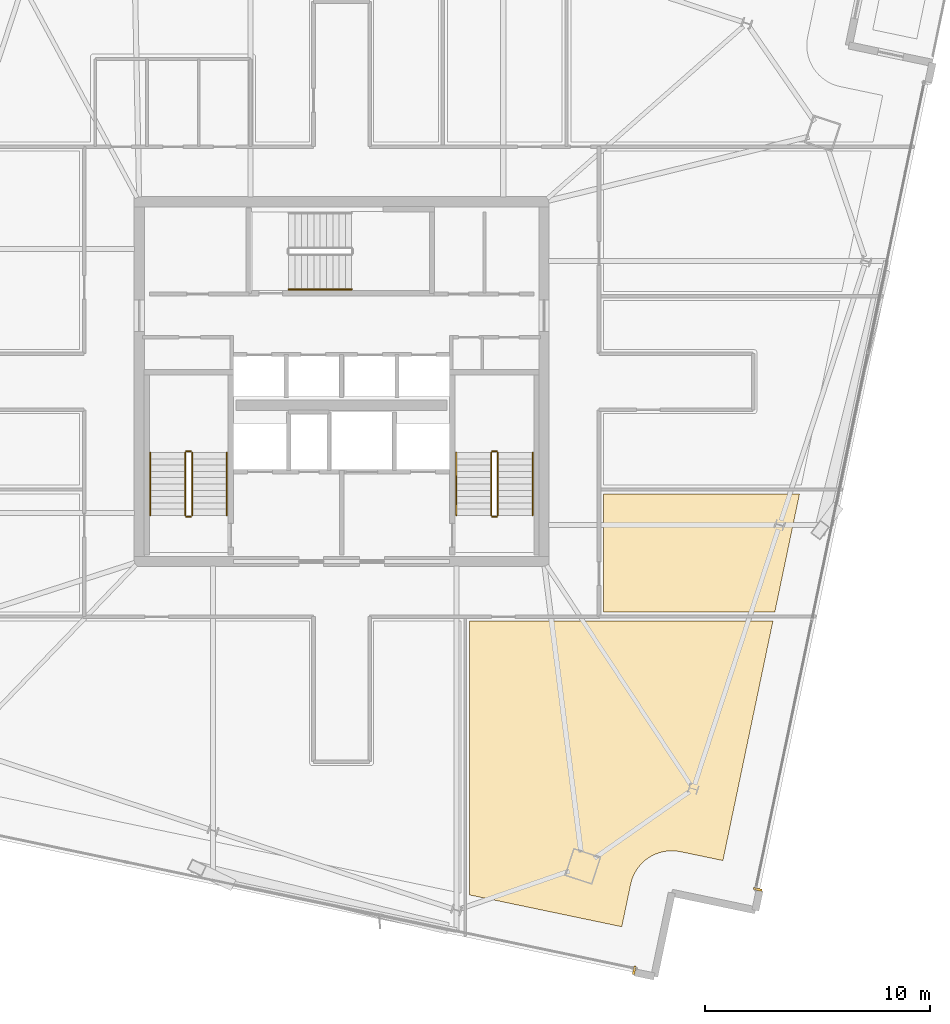
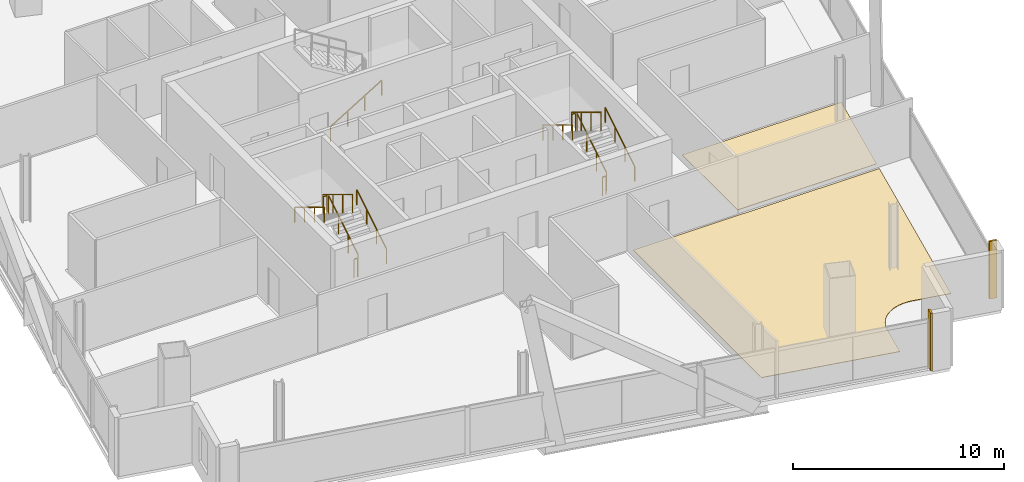
# One storey, part 22 of 24: 13 railings, 4 coverings.
"""IFC4 building model written with IfcOpenShell, lengths in metres."""

from ifc_helpers import new_model, si_unit, direction, frame, origin, origin_2d, place, context, subcontext, project, spatial, polyline, rectangle, outline, extrude, source, transform, mapped, material, layer, layer_set, type_object, element, save


model = new_model("IFC4")

# Units and contexts
model_context = context("Model", 3, precision=1e-05, world=origin(), true_north=direction((0.0, 1.0)))
body_context = subcontext(model_context, "Body", "Model", "MODEL_VIEW")
ifc_project = project(units=[si_unit("LENGTHUNIT", "METRE"), si_unit("AREAUNIT", "SQUARE_METRE"), si_unit("VOLUMEUNIT", "CUBIC_METRE"), si_unit("PLANEANGLEUNIT", "RADIAN"), si_unit("MASSUNIT", "GRAM", prefix="KILO")], contexts=[model_context])

# Site, building, storey
site_placement = place(None, origin())
site = spatial("IfcSite", under=ifc_project, at=site_placement, CompositionType="ELEMENT")
building_placement = place(site_placement, origin())
building = spatial("IfcBuilding", under=site, at=building_placement, Name="Haldenkirk Collegiate Tower", CompositionType="ELEMENT")
storey_placement = place(building_placement, frame((0.0, 0.0, 289.949951171875)))
storey = spatial("IfcBuildingStorey", under=building, at=storey_placement, Name="L73", CompositionType="ELEMENT", Elevation=289.949951171875)

# Coverings
ifc_material_1 = material(Name="Polished collegiate terrazzo", Category="concrete")
ifc_layer_1 = layer(ifc_material_1, 0.02490234375)
ifc_layer_set_1 = layer_set([ifc_layer_1], Name="Polished collegiate terrazzo")
covering_type_1 = type_object("IfcCoveringType", Name="COV-FLOOR-TERRAZZO", PredefinedType="FLOORING", material=ifc_layer_set_1)
covering_1_placement = place(storey_placement, origin())
element("IfcCovering", 1, at=covering_1_placement, inside=storey, type_object=covering_type_1, Name="L73 academic room finish 02", PredefinedType="FLOORING", context=body_context, shape_type="SweptSolid", body=[
    extrude(outline(polyline([(50.34521484375, 5.104736328125), (50.33349609375, 5.1025390625), (50.16650390625, 5.0625), (50.1552734375, 5.05908203125), (49.992919921875, 5.002685546875), (49.982177734375, 4.998291015625), (49.826171875, 4.926513671875), (49.815673828125, 4.9208984375), (49.66748046875, 4.833984375), (49.65771484375, 4.82763671875), (49.518798828125, 4.726806640625), (49.509521484375, 4.719482421875), (49.381103515625, 4.605224609375), (49.372802734375, 4.596923828125), (49.256103515625, 4.470703125), (49.248779296875, 4.4619140625), (49.14501953125, 4.324951171875), (49.138427734375, 4.315185546875), (49.048583984375, 4.168701171875), (49.04296875, 4.158203125), (48.968017578125, 4.00390625), (48.96337890625, 3.992919921875), (48.904052734375, 3.831787109375), (48.900634765625, 3.82080078125), (48.857421875, 3.654541015625), (48.85595703125, 3.648681640625), (48.461181640625, 1.759521484375), (41.699951171875, 3.172119140625), (41.699951171875, 15.35009765625), (55.1826171875, 15.35009765625), (52.9580078125, 4.7021484375), (51.06884765625, 5.0966796875), (51.06298828125, 5.097900390625), (50.893310546875, 5.12451171875), (50.881591796875, 5.1259765625), (50.710205078125, 5.135986328125), (50.698486328125, 5.135986328125), (50.52685546875, 5.12939453125), (50.51513671875, 5.12841796875), (50.34521484375, 5.104736328125)])), origin(), (0.0, 0.0, 1.0), 0.025146484375),
])
covering_2_placement = place(storey_placement, origin())
element("IfcCovering", 2, at=covering_2_placement, inside=storey, type_object=covering_type_1, Name="L73 academic room finish 08", PredefinedType="FLOORING", context=body_context, shape_type="SweptSolid", body=[
    extrude(outline(polyline([(55.26611328125, 15.75), (47.64990234375, 15.75), (47.64990234375, 21.0), (56.36279296875, 21.0), (55.26611328125, 15.75)])), origin(), (0.0, 0.0, 1.0), 0.025146484375),
])

# Railings
ifc_material_2 = material(Name="Painted architectural tubular steel", Category="steel")
railing_type_1 = type_object("IfcRailingType", Name="RLG-STAIR-GUARD-1100", PredefinedType="BALUSTRADE", material=ifc_material_2)
railing_1_placement = place(storey_placement, frame((29.35009765625, 20.050048828125, 0.17041015625)))
element("IfcRailing", 3, at=railing_1_placement, inside=storey, type_object=railing_type_1, Name="L73 ST-1 stair guard 1", PredefinedType="BALUSTRADE", context=body_context, shape_type="SweptSolid", body=[
    extrude(rectangle(XDim=0.048095703125, YDim=0.048095703125, at=origin_2d()), frame((0.0, 0.0, 1.076171875), z_axis=(0.0, 0.854169791009, 0.51999420009), x_axis=(-1.0, 0.0, 0.0)), (0.0, 0.0, 1.0), 3.278076171875),
    extrude(rectangle(XDim=0.0419921875, YDim=0.0419921875, at=origin_2d()), origin(), (0.0, 0.0, 1.0), 1.052001953125),
    extrude(rectangle(XDim=0.0419921875, YDim=0.0419921875, at=origin_2d()), frame((0.0, 0.933349609375, 0.568115234375)), (0.0, 0.0, 1.0), 1.052001953125),
    extrude(rectangle(XDim=0.0419921875, YDim=0.0419921875, at=origin_2d()), frame((0.0, 1.86669921875, 1.136474609375)), (0.0, 0.0, 1.0), 1.052001953125),
    extrude(rectangle(XDim=0.0419921875, YDim=0.0419921875, at=origin_2d()), frame((0.0, 2.800048828125, 1.70458984375)), (0.0, 0.0, 1.0), 1.052001953125),
])
railing_2_placement = place(storey_placement, frame((29.300048828125, 22.89990234375, 1.875)))
element("IfcRailing", 4, at=railing_2_placement, inside=storey, type_object=railing_type_1, Name="L73 ST-1 stair guard 2", PredefinedType="BALUSTRADE", context=body_context, shape_type="SweptSolid", body=[
    extrude(rectangle(XDim=0.048095703125, YDim=0.048095703125, at=origin_2d()), frame((0.0, 0.0, 1.076171875), z_axis=(-1.0, 0.0, 0.0), x_axis=(0.0, -1.0, 0.0)), (0.0, 0.0, 1.0), 0.199951171875),
    extrude(rectangle(XDim=0.0419921875, YDim=0.0419921875, at=origin_2d()), origin(), (0.0, 0.0, 1.0), 1.052001953125),
    extrude(rectangle(XDim=0.0419921875, YDim=0.0419921875, at=origin_2d()), frame((-0.199951171875, 0.0, 0.0)), (0.0, 0.0, 1.0), 1.052001953125),
])
railing_3_placement = place(storey_placement, frame((29.050048828125, 22.85009765625, 2.04541015625)))
element("IfcRailing", 5, at=railing_3_placement, inside=storey, type_object=railing_type_1, Name="L73 ST-1 stair guard 3", PredefinedType="BALUSTRADE", context=body_context, shape_type="SweptSolid", body=[
    extrude(rectangle(XDim=0.048095703125, YDim=0.048095703125, at=origin_2d()), frame((0.0, 0.0, 1.076171875), z_axis=(0.0, -0.854169791009, 0.51999420009), x_axis=(1.0, 0.0, 0.0)), (0.0, 0.0, 1.0), 3.278076171875),
    extrude(rectangle(XDim=0.0419921875, YDim=0.0419921875, at=origin_2d()), origin(), (0.0, 0.0, 1.0), 1.052001953125),
    extrude(rectangle(XDim=0.0419921875, YDim=0.0419921875, at=origin_2d()), frame((0.0, -0.933349609375, 0.568115234375)), (0.0, 0.0, 1.0), 1.052001953125),
    extrude(rectangle(XDim=0.0419921875, YDim=0.0419921875, at=origin_2d()), frame((0.0, -1.86669921875, 1.136474609375)), (0.0, 0.0, 1.0), 1.052001953125),
    extrude(rectangle(XDim=0.0419921875, YDim=0.0419921875, at=origin_2d()), frame((0.0, -2.800048828125, 1.70458984375)), (0.0, 0.0, 1.0), 1.052001953125),
])
railing_4_placement = place(storey_placement, frame((29.300048828125, 20.0, 0.0)))
element("IfcRailing", 6, at=railing_4_placement, inside=storey, type_object=railing_type_1, Name="L73 ST-1 stair guard 4", PredefinedType="BALUSTRADE", context=body_context, shape_type="SweptSolid", body=[
    extrude(rectangle(XDim=0.048095703125, YDim=0.048095703125, at=origin_2d()), frame((0.0, 0.0, 1.076171875), z_axis=(-1.0, 0.0, 0.0), x_axis=(0.0, -1.0, 0.0)), (0.0, 0.0, 1.0), 0.199951171875),
    extrude(rectangle(XDim=0.0419921875, YDim=0.0419921875, at=origin_2d()), origin(), (0.0, 0.0, 1.0), 1.052001953125),
    extrude(rectangle(XDim=0.0419921875, YDim=0.0419921875, at=origin_2d()), frame((-0.199951171875, 0.0, 0.0)), (0.0, 0.0, 1.0), 1.052001953125),
])
railing_5_placement = place(storey_placement, frame((42.949951171875, 20.050048828125, 0.17041015625)))
element("IfcRailing", 7, at=railing_5_placement, inside=storey, type_object=railing_type_1, Name="L73 ST-2 stair guard 1", PredefinedType="BALUSTRADE", context=body_context, shape_type="SweptSolid", body=[
    extrude(rectangle(XDim=0.048095703125, YDim=0.048095703125, at=origin_2d()), frame((0.0, 0.0, 1.076171875), z_axis=(0.0, 0.854169791009, 0.51999420009), x_axis=(-1.0, 0.0, 0.0)), (0.0, 0.0, 1.0), 3.278076171875),
    extrude(rectangle(XDim=0.0419921875, YDim=0.0419921875, at=origin_2d()), origin(), (0.0, 0.0, 1.0), 1.052001953125),
    extrude(rectangle(XDim=0.0419921875, YDim=0.0419921875, at=origin_2d()), frame((0.0, 0.933349609375, 0.568115234375)), (0.0, 0.0, 1.0), 1.052001953125),
    extrude(rectangle(XDim=0.0419921875, YDim=0.0419921875, at=origin_2d()), frame((0.0, 1.86669921875, 1.136474609375)), (0.0, 0.0, 1.0), 1.052001953125),
    extrude(rectangle(XDim=0.0419921875, YDim=0.0419921875, at=origin_2d()), frame((0.0, 2.800048828125, 1.70458984375)), (0.0, 0.0, 1.0), 1.052001953125),
])
railing_6_placement = place(storey_placement, frame((42.89990234375, 22.89990234375, 1.875)))
element("IfcRailing", 8, at=railing_6_placement, inside=storey, type_object=railing_type_1, Name="L73 ST-2 stair guard 2", PredefinedType="BALUSTRADE", context=body_context, shape_type="SweptSolid", body=[
    extrude(rectangle(XDim=0.048095703125, YDim=0.048095703125, at=origin_2d()), frame((0.0, 0.0, 1.076171875), z_axis=(-1.0, 0.0, 0.0), x_axis=(0.0, -1.0, 0.0)), (0.0, 0.0, 1.0), 0.199951171875),
    extrude(rectangle(XDim=0.0419921875, YDim=0.0419921875, at=origin_2d()), origin(), (0.0, 0.0, 1.0), 1.052001953125),
    extrude(rectangle(XDim=0.0419921875, YDim=0.0419921875, at=origin_2d()), frame((-0.199951171875, 0.0, 0.0)), (0.0, 0.0, 1.0), 1.052001953125),
])
railing_7_placement = place(storey_placement, frame((42.64990234375, 22.85009765625, 2.04541015625)))
element("IfcRailing", 9, at=railing_7_placement, inside=storey, type_object=railing_type_1, Name="L73 ST-2 stair guard 3", PredefinedType="BALUSTRADE", context=body_context, shape_type="SweptSolid", body=[
    extrude(rectangle(XDim=0.048095703125, YDim=0.048095703125, at=origin_2d()), frame((0.0, 0.0, 1.076171875), z_axis=(0.0, -0.854169791009, 0.51999420009), x_axis=(1.0, 0.0, 0.0)), (0.0, 0.0, 1.0), 3.278076171875),
    extrude(rectangle(XDim=0.0419921875, YDim=0.0419921875, at=origin_2d()), origin(), (0.0, 0.0, 1.0), 1.052001953125),
    extrude(rectangle(XDim=0.0419921875, YDim=0.0419921875, at=origin_2d()), frame((0.0, -0.933349609375, 0.568115234375)), (0.0, 0.0, 1.0), 1.052001953125),
    extrude(rectangle(XDim=0.0419921875, YDim=0.0419921875, at=origin_2d()), frame((0.0, -1.86669921875, 1.136474609375)), (0.0, 0.0, 1.0), 1.052001953125),
    extrude(rectangle(XDim=0.0419921875, YDim=0.0419921875, at=origin_2d()), frame((0.0, -2.800048828125, 1.70458984375)), (0.0, 0.0, 1.0), 1.052001953125),
])
railing_8_placement = place(storey_placement, frame((42.89990234375, 20.0, 0.0)))
element("IfcRailing", 10, at=railing_8_placement, inside=storey, type_object=railing_type_1, Name="L73 ST-2 stair guard 4", PredefinedType="BALUSTRADE", context=body_context, shape_type="SweptSolid", body=[
    extrude(rectangle(XDim=0.048095703125, YDim=0.048095703125, at=origin_2d()), frame((0.0, 0.0, 1.076171875), z_axis=(-1.0, 0.0, 0.0), x_axis=(0.0, -1.0, 0.0)), (0.0, 0.0, 1.0), 0.199951171875),
    extrude(rectangle(XDim=0.0419921875, YDim=0.0419921875, at=origin_2d()), origin(), (0.0, 0.0, 1.0), 1.052001953125),
    extrude(rectangle(XDim=0.0419921875, YDim=0.0419921875, at=origin_2d()), frame((-0.199951171875, 0.0, 0.0)), (0.0, 0.0, 1.0), 1.052001953125),
])
railing_type_2 = type_object("IfcRailingType", Name="RLG-STAIR-HANDRAIL-900", PredefinedType="HANDRAIL", material=ifc_material_2)
railing_9_placement = place(storey_placement, frame((30.89990234375, 20.050048828125, 0.17041015625)))
element("IfcRailing", 11, at=railing_9_placement, inside=storey, type_object=railing_type_2, Name="L73 ST-1 stair handrail 1", PredefinedType="HANDRAIL", context=body_context, shape_type="SweptSolid", body=[
    extrude(rectangle(XDim=0.048095703125, YDim=0.048095703125, at=origin_2d()), frame((0.0, 0.0, 0.8759765625), z_axis=(0.0, 0.854169791009, 0.51999420009), x_axis=(-1.0, 0.0, 0.0)), (0.0, 0.0, 1.0), 3.278076171875),
    extrude(rectangle(XDim=0.0419921875, YDim=0.0419921875, at=origin_2d()), origin(), (0.0, 0.0, 1.0), 0.851806640625),
    extrude(rectangle(XDim=0.0419921875, YDim=0.0419921875, at=origin_2d()), frame((0.0, 0.933349609375, 0.568115234375)), (0.0, 0.0, 1.0), 0.851806640625),
    extrude(rectangle(XDim=0.0419921875, YDim=0.0419921875, at=origin_2d()), frame((0.0, 1.86669921875, 1.136474609375)), (0.0, 0.0, 1.0), 0.851806640625),
    extrude(rectangle(XDim=0.0419921875, YDim=0.0419921875, at=origin_2d()), frame((0.0, 2.800048828125, 1.70458984375)), (0.0, 0.0, 1.0), 0.851806640625),
])
railing_10_placement = place(storey_placement, frame((27.5, 22.85009765625, 2.04541015625)))
element("IfcRailing", 12, at=railing_10_placement, inside=storey, type_object=railing_type_2, Name="L73 ST-1 stair handrail 2", PredefinedType="HANDRAIL", context=body_context, shape_type="SweptSolid", body=[
    extrude(rectangle(XDim=0.048095703125, YDim=0.048095703125, at=origin_2d()), frame((0.0, 0.0, 0.8759765625), z_axis=(0.0, -0.854169791009, 0.51999420009), x_axis=(1.0, 0.0, 0.0)), (0.0, 0.0, 1.0), 3.278076171875),
    extrude(rectangle(XDim=0.0419921875, YDim=0.0419921875, at=origin_2d()), origin(), (0.0, 0.0, 1.0), 0.851806640625),
    extrude(rectangle(XDim=0.0419921875, YDim=0.0419921875, at=origin_2d()), frame((0.0, -0.933349609375, 0.568115234375)), (0.0, 0.0, 1.0), 0.851806640625),
    extrude(rectangle(XDim=0.0419921875, YDim=0.0419921875, at=origin_2d()), frame((0.0, -1.86669921875, 1.136474609375)), (0.0, 0.0, 1.0), 0.851806640625),
    extrude(rectangle(XDim=0.0419921875, YDim=0.0419921875, at=origin_2d()), frame((0.0, -2.800048828125, 1.70458984375)), (0.0, 0.0, 1.0), 0.851806640625),
])
railing_11_placement = place(storey_placement, frame((44.5, 20.050048828125, 0.17041015625)))
element("IfcRailing", 13, at=railing_11_placement, inside=storey, type_object=railing_type_2, Name="L73 ST-2 stair handrail 1", PredefinedType="HANDRAIL", context=body_context, shape_type="SweptSolid", body=[
    extrude(rectangle(XDim=0.048095703125, YDim=0.048095703125, at=origin_2d()), frame((0.0, 0.0, 0.8759765625), z_axis=(0.0, 0.854169791009, 0.51999420009), x_axis=(-1.0, 0.0, 0.0)), (0.0, 0.0, 1.0), 3.278076171875),
    extrude(rectangle(XDim=0.0419921875, YDim=0.0419921875, at=origin_2d()), origin(), (0.0, 0.0, 1.0), 0.851806640625),
    extrude(rectangle(XDim=0.0419921875, YDim=0.0419921875, at=origin_2d()), frame((0.0, 0.933349609375, 0.568115234375)), (0.0, 0.0, 1.0), 0.851806640625),
    extrude(rectangle(XDim=0.0419921875, YDim=0.0419921875, at=origin_2d()), frame((0.0, 1.86669921875, 1.136474609375)), (0.0, 0.0, 1.0), 0.851806640625),
    extrude(rectangle(XDim=0.0419921875, YDim=0.0419921875, at=origin_2d()), frame((0.0, 2.800048828125, 1.70458984375)), (0.0, 0.0, 1.0), 0.851806640625),
])
railing_12_placement = place(storey_placement, frame((41.10009765625, 22.85009765625, 2.04541015625)))
element("IfcRailing", 14, at=railing_12_placement, inside=storey, type_object=railing_type_2, Name="L73 ST-2 stair handrail 2", PredefinedType="HANDRAIL", context=body_context, shape_type="SweptSolid", body=[
    extrude(rectangle(XDim=0.048095703125, YDim=0.048095703125, at=origin_2d()), frame((0.0, 0.0, 0.8759765625), z_axis=(0.0, -0.854169791009, 0.51999420009), x_axis=(1.0, 0.0, 0.0)), (0.0, 0.0, 1.0), 3.278076171875),
    extrude(rectangle(XDim=0.0419921875, YDim=0.0419921875, at=origin_2d()), origin(), (0.0, 0.0, 1.0), 0.851806640625),
    extrude(rectangle(XDim=0.0419921875, YDim=0.0419921875, at=origin_2d()), frame((0.0, -0.933349609375, 0.568115234375)), (0.0, 0.0, 1.0), 0.851806640625),
    extrude(rectangle(XDim=0.0419921875, YDim=0.0419921875, at=origin_2d()), frame((0.0, -1.86669921875, 1.136474609375)), (0.0, 0.0, 1.0), 0.851806640625),
    extrude(rectangle(XDim=0.0419921875, YDim=0.0419921875, at=origin_2d()), frame((0.0, -2.800048828125, 1.70458984375)), (0.0, 0.0, 1.0), 0.851806640625),
])
railing_13_placement = place(storey_placement, frame((33.64990234375, 30.10009765625, 0.17041015625)))
element("IfcRailing", 15, at=railing_13_placement, inside=storey, type_object=railing_type_2, Name="L73 ST-3 stair handrail 1", PredefinedType="HANDRAIL", context=body_context, shape_type="SweptSolid", body=[
    extrude(rectangle(XDim=0.048095703125, YDim=0.048095703125, at=origin_2d()), frame((0.0, 0.0, 0.8759765625), z_axis=(0.854169791009, 0.0, 0.51999420009), x_axis=(0.0, 1.0, 0.0)), (0.0, 0.0, 1.0), 3.278076171875),
    extrude(rectangle(XDim=0.0419921875, YDim=0.0419921875, at=origin_2d()), origin(), (0.0, 0.0, 1.0), 0.851806640625),
    extrude(rectangle(XDim=0.0419921875, YDim=0.0419921875, at=origin_2d()), frame((0.933349609375, 0.0, 0.568115234375)), (0.0, 0.0, 1.0), 0.851806640625),
    extrude(rectangle(XDim=0.0419921875, YDim=0.0419921875, at=origin_2d()), frame((1.86669921875, 0.0, 1.136474609375)), (0.0, 0.0, 1.0), 0.851806640625),
    extrude(rectangle(XDim=0.0419921875, YDim=0.0419921875, at=origin_2d()), frame((2.800048828125, 0.0, 1.70458984375)), (0.0, 0.0, 1.0), 0.851806640625),
])

# Coverings
ifc_material_3 = material(Name="Anodised architectural bronze aluminium", Category="aluminium")
ifc_layer_2 = layer(ifc_material_3, 0.06005859375)
ifc_layer_set_2 = layer_set([ifc_layer_2], Name="Anodised architectural bronze aluminium")
covering_type_2 = type_object("IfcCoveringType", Name="COV-CLAD-BRONZE-60", PredefinedType="CLADDING", material=ifc_layer_set_2)
shared_shape = source(origin(), body_context, "Body", "SweptSolid", [
    extrude(rectangle(XDim=0.10009765625, YDim=0.3798828125, at=origin_2d()), origin(), (0.0, 0.0, 1.0), 3.340087890625),
])
for number, where, z_axis, x_axis, name in (
    (16, (54.508056640625, 3.41796875, 0.0), (0.0, 0.0, 1.0), (-0.204496051842, -0.978867388762, 0.0), "L73 recessed curtain-wall bronze jamb closure SJR"),
    (17, (49.017333984375, -0.17529296875, 0.0), (0.0, 0.0, 1.0), (-0.978867388762, 0.204496051842, 0.0), "L73 recessed curtain-wall bronze jamb closure WJL"),
):
    element("IfcCovering", number, at=place(storey_placement, frame(where, z_axis=z_axis, x_axis=x_axis)), inside=storey, type_object=covering_type_2, Name=name, PredefinedType="CLADDING", context=body_context, shape_type="MappedRepresentation", body=[
        mapped(shared_shape, transform((0.0, 0.0, 0.0), x_axis=(1.0, 0.0, 0.0), y_axis=(0.0, 1.0, 0.0), z_axis=(0.0, 0.0, 1.0), scale=1.0)),
    ])

save(model, "model.ifc")
